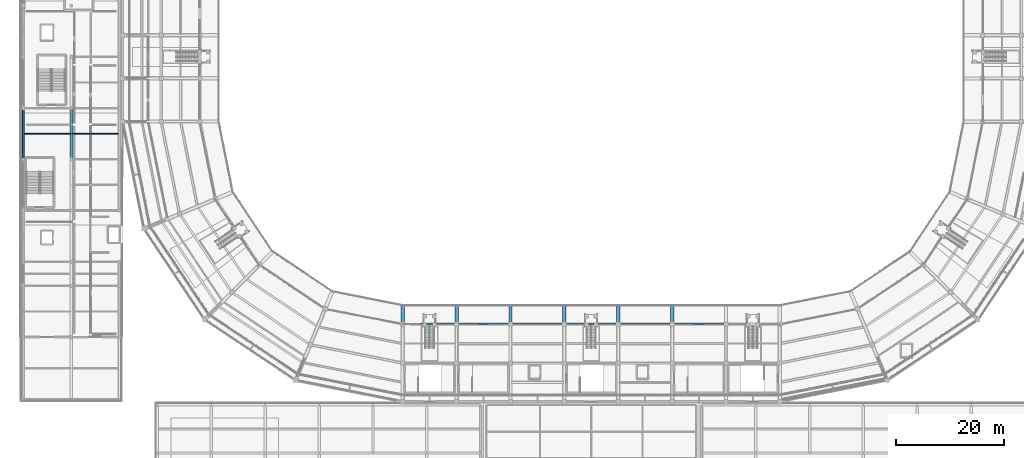
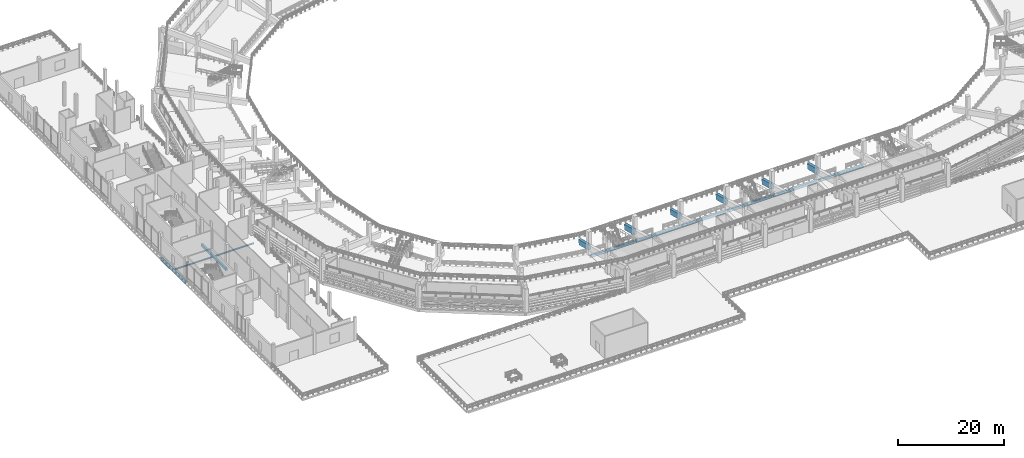
# One storey, part 17 of 96: 16 beams.
"""IFC4 building model written with IfcOpenShell, lengths in metres."""

import ifcopenshell
import ifcopenshell.guid

model = None  # the IFC model being written
_history = None  # IfcOwnerHistory: only IFC2X3 demands one
_inside = {}  # id of a spatial element -> (the spatial element, [elements in it])
_under = {}  # id of a project, library or spatial element -> (it, [spatial elements below it])
_declared = {}  # id of a project -> (the project, [libraries it declares])
_typed = {}  # id of a type object -> (the type object, [elements of that type])
_made_of = {}  # id of a material, layer set ... -> (it, [elements and type objects made of it])


def new_model(schema):
    """Start an empty IFC model of exactly this schema.

    Asked for "IFC4X3", IfcOpenShell would pick the latest addendum, in which some entities
    have other attributes; the version numbers below select the first issue.
    IFC2X3 requires an IfcOwnerHistory on every rooted entity: one is made here for all.
    """
    global model, _history
    if schema == "IFC4X3":
        model = ifcopenshell.file(schema_version=(4, 3, 0, 0))
    else:
        model = ifcopenshell.file(schema=schema)
    _inside.clear()
    _under.clear()
    _declared.clear()
    _typed.clear()
    _made_of.clear()
    _history = None
    if model.schema == "IFC2X3":
        org = make("IfcOrganization", Name="unknown")
        user = make(
            "IfcPersonAndOrganization",
            ThePerson=make("IfcPerson", FamilyName="unknown"),
            TheOrganization=org,
        )
        app = make(
            "IfcApplication",
            ApplicationDeveloper=org,
            Version="unknown",
            ApplicationFullName="unknown",
            ApplicationIdentifier="unknown",
        )
        _history = make(
            "IfcOwnerHistory",
            OwningUser=user,
            OwningApplication=app,
            ChangeAction="ADDED",
            CreationDate=0,
        )
    return model


def make(cls, **values):
    """One entity of the class cls with the attributes given. An attribute that is None is left unset."""
    return model.create_entity(
        cls, **{name: value for name, value in values.items() if value is not None}
    )


def rooted(cls, **values):
    """An entity with a GlobalId (a new one), such as an element, a storey or a relation."""
    return make(cls, GlobalId=ifcopenshell.guid.new(), OwnerHistory=_history, **values)


def si_unit(unit_type, name, prefix=None):
    """IfcSIUnit, for example si_unit("LENGTHUNIT", "METRE", prefix="MILLI")."""
    return make("IfcSIUnit", UnitType=unit_type, Prefix=prefix, Name=name)


def assignment(units):
    """IfcUnitAssignment: the units of a project."""
    return None if units is None else make("IfcUnitAssignment", Units=units)


def point(xyz):
    """IfcCartesianPoint."""
    return None if xyz is None else make("IfcCartesianPoint", Coordinates=xyz)


def direction(xyz):
    """IfcDirection."""
    return None if xyz is None else make("IfcDirection", DirectionRatios=xyz)


def frame(location, z_axis=None, x_axis=None):
    """IfcAxis2Placement3D, a coordinate frame: its origin and axes. An axis left out is left unset."""
    return make(
        "IfcAxis2Placement3D",
        Location=point(location),
        Axis=direction(z_axis),
        RefDirection=direction(x_axis),
    )


def frame_2d(location, x_axis=None):
    """IfcAxis2Placement2D, a coordinate frame in the plane: its origin and x axis."""
    return make(
        "IfcAxis2Placement2D", Location=point(location), RefDirection=direction(x_axis)
    )


def origin():
    """The frame at (0, 0, 0) with its axes left unset."""
    return frame((0.0, 0.0, 0.0))


def origin_2d():
    """The frame at (0, 0) in the plane with its x axis left unset."""
    return frame_2d((0.0, 0.0))


def place(relative_to, where):
    """IfcLocalPlacement: puts the frame where relative to a parent placement (None: the world)."""
    return make(
        "IfcLocalPlacement", PlacementRelTo=relative_to, RelativePlacement=where
    )


def context(
    kind, dimensions, precision=None, world=None, true_north=None, identifier=None
):
    """IfcGeometricRepresentationContext, for example the 3D "Model" context."""
    return make(
        "IfcGeometricRepresentationContext",
        ContextIdentifier=identifier,
        ContextType=kind,
        CoordinateSpaceDimension=dimensions,
        Precision=precision,
        WorldCoordinateSystem=world,
        TrueNorth=true_north,
    )


def subcontext(parent, identifier, kind, view, scale=None):
    """IfcGeometricRepresentationSubContext, for example "Body" below "Model"."""
    return make(
        "IfcGeometricRepresentationSubContext",
        ContextIdentifier=identifier,
        ContextType=kind,
        ParentContext=parent,
        TargetScale=scale,
        TargetView=view,
    )


def project(units=None, contexts=None):
    """IfcProject with its units and contexts."""
    return rooted(
        "IfcProject",
        Name="project",
        RepresentationContexts=contexts,
        UnitsInContext=assignment(units),
    )


def spatial(cls, under=None, at=None, **own):
    """A site, building, storey or space (cls), placed at a placement, below another one or the project."""
    s = rooted(cls, ObjectPlacement=at, **own)
    if under is not None:
        _under.setdefault(under.id(), (under, []))[1].append(s)
    return s


def profile(cls, at=None, kind="AREA", **sizes):
    """A parametric profile (cls). Its sizes go by their IFC names, for example OverallWidth=200.0."""
    return make(cls, ProfileType=kind, Position=at, **sizes)


def rectangle(**sizes):
    """IfcRectangleProfileDef."""
    return profile("IfcRectangleProfileDef", **sizes)


def i_section(**sizes):
    """IfcIShapeProfileDef."""
    return profile("IfcIShapeProfileDef", **sizes)


def extrude(swept, where, along, depth):
    """IfcExtrudedAreaSolid: the profile swept, set in the frame where, extruded along a direction by depth."""
    return make(
        "IfcExtrudedAreaSolid",
        SweptArea=swept,
        Position=where,
        ExtrudedDirection=direction(along),
        Depth=depth,
    )


def shape(context_of_items, identifier, shape_type, items):
    """IfcShapeRepresentation: the items that make up one representation, for example the "Body"."""
    return make(
        "IfcShapeRepresentation",
        ContextOfItems=context_of_items,
        RepresentationIdentifier=identifier,
        RepresentationType=shape_type,
        Items=items,
    )


def material(Name=None, Category=None):
    """IfcMaterial."""
    return make("IfcMaterial", Name=Name, Category=Category)


def material_profile(
    of_material, cross_section, Name=None, Category=None, Priority=None
):
    """IfcMaterialProfile: a cross section and its material."""
    return make(
        "IfcMaterialProfile",
        Name=Name,
        Material=of_material,
        Profile=cross_section,
        Priority=Priority,
        Category=Category,
    )


def profile_set(profiles, Name=None, composite=None):
    """IfcMaterialProfileSet."""
    return make(
        "IfcMaterialProfileSet",
        Name=Name,
        MaterialProfiles=profiles,
        CompositeProfile=composite,
    )


def made_of(thing, what):
    """Note that an element or type object is made of a material, layer set ...; save() writes the relation."""
    if what is not None:
        _made_of.setdefault(what.id(), (what, []))[1].append(thing)
    return thing


def type_object(cls, material=None, **own):
    """A type object (cls), such as IfcWallType, which elements share."""
    return made_of(rooted(cls, **own), material)


def element(
    cls,
    number,
    at=None,
    inside=None,
    cuts=None,
    type_object=None,
    material=None,
    context=None,
    identifier="Body",
    shape_type=None,
    held_by="IfcProductDefinitionShape",
    body=None,
    shapes=None,
    **own,
):
    """One element of the class cls, such as IfcWall. Its Tag is "e" and its number.

    at: its placement. inside: the storey or other place that contains it. cuts: it is an
    opening in that element (IfcRelVoidsElement). A single representation is given by context,
    identifier, shape_type and body (its items); several are given by shapes. held_by: the class
    of the entity that holds the representations. save() writes the other relations.
    """
    e = rooted(cls, Tag="e%d" % number, ObjectPlacement=at, **own)
    if body is not None:
        shapes = [shape(context, identifier, shape_type, body)]
    if shapes is not None:
        e.Representation = make(held_by, Representations=shapes)
    if inside is not None:
        _inside.setdefault(inside.id(), (inside, []))[1].append(e)
    if cuts is not None:
        rooted(
            "IfcRelVoidsElement", RelatingBuildingElement=cuts, RelatedOpeningElement=e
        )
    if type_object is not None:
        _typed.setdefault(type_object.id(), (type_object, []))[1].append(e)
    return made_of(e, material)


def aggregate(whole, parts):
    """IfcRelAggregates: a whole, such as a stair, and the parts it consists of."""
    return rooted("IfcRelAggregates", RelatingObject=whole, RelatedObjects=parts)


def save(model, path):
    """Write the relations noted so far, then the file.

    IfcRelAggregates (storeys below a building ...), IfcRelContainedInSpatialStructure (elements
    in a storey), IfcRelDefinesByType, IfcRelAssociatesMaterial and IfcRelDeclares: one each for
    every whole, place, type object, material and project.
    """
    for whole, parts in _under.values():
        aggregate(whole, parts)
    for where, things in _inside.values():
        rooted(
            "IfcRelContainedInSpatialStructure",
            RelatedElements=things,
            RelatingStructure=where,
        )
    for kind, things in _typed.values():
        rooted("IfcRelDefinesByType", RelatedObjects=things, RelatingType=kind)
    for what, things in _made_of.values():
        rooted("IfcRelAssociatesMaterial", RelatedObjects=things, RelatingMaterial=what)
    for by, libraries in _declared.values():
        rooted("IfcRelDeclares", RelatingContext=by, RelatedDefinitions=libraries)
    model.write(path)


model = new_model("IFC4")

# Units and contexts
model_context = context("Model", 3, precision=1e-05, world=origin(), true_north=direction((0.0, 1.0)))
body_context = subcontext(model_context, "Body", "Model", "MODEL_VIEW")
ifc_project = project(units=[si_unit("LENGTHUNIT", "METRE"), si_unit("AREAUNIT", "SQUARE_METRE"), si_unit("VOLUMEUNIT", "CUBIC_METRE"), si_unit("PLANEANGLEUNIT", "RADIAN"), si_unit("MASSUNIT", "GRAM", prefix="KILO")], contexts=[model_context])

# Site, building, storey
site_placement = place(None, origin())
site = spatial("IfcSite", under=ifc_project, at=site_placement, CompositionType="ELEMENT")
building_placement = place(site_placement, origin())
building = spatial("IfcBuilding", under=site, at=building_placement, Name="Candeia Ridge Stadium", CompositionType="ELEMENT")
storey_placement = place(building_placement, frame((0.0, 0.0, 21.60009765625)))
storey = spatial("IfcBuildingStorey", under=building, at=storey_placement, Name="L04", CompositionType="ELEMENT", Elevation=21.60009765625)

# Beams
ifc_material_1 = material(Name="Concrete C40/50", Category="concrete")
ifc_material_profile_1 = material_profile(ifc_material_1, rectangle(XDim=0.3798828125, YDim=0.6201171875, at=origin_2d()), Name="RC380x620", Category="concrete")
ifc_profile_set_1 = profile_set([ifc_material_profile_1], Name="Concrete C40/50")
beam_type_1 = type_object("IfcBeamType", Name="Frame Girder RC380x620", PredefinedType="BEAM", material=ifc_profile_set_1)
for number, where, z_axis, x_axis, name in (
    (1, (71.159912109375, 33.39990234375, -0.570068359375), (1.0, 0.0, 0.0), (0.0, 1.0, 0.0), "Bowl inner ring girder BM-L04-0878"),
    (2, (81.159912109375, 33.39990234375, -0.570068359375), (1.0, 0.0, 0.0), (0.0, 1.0, 0.0), "Bowl inner ring girder BM-L04-0882"),
    (3, (91.159912109375, 33.39990234375, -0.570068359375), (1.0, 0.0, 0.0), (0.0, 1.0, 0.0), "Bowl inner ring girder BM-L04-0886"),
    (4, (101.159912109375, 33.39990234375, -0.570068359375), (1.0, 0.0, 0.0), (0.0, 1.0, 0.0), "Bowl inner ring girder BM-L04-0891"),
    (5, (111.159912109375, 33.39990234375, -0.570068359375), (1.0, 0.0, 0.0), (0.0, 1.0, 0.0), "Bowl inner ring girder BM-L04-0895"),
    (6, (121.159912109375, 33.39990234375, -0.570068359375), (1.0, 0.0, 0.0), (0.0, 1.0, 0.0), "Bowl inner ring girder BM-L04-0900"),
):
    element("IfcBeam", number, at=place(storey_placement, frame(where, z_axis=z_axis, x_axis=x_axis)), inside=storey, type_object=beam_type_1, Name=name, PredefinedType="BEAM", context=body_context, shape_type="SweptSolid", body=[
        extrude(rectangle(XDim=0.3798828125, YDim=0.6201171875, at=origin_2d()), origin(), (0.0, 0.0, 1.0), 9.68017578125),
    ])
ifc_material_2 = material(Name="Steel ASTM A572 Grade 50", Category="steel")
ifc_material_profile_2 = material_profile(ifc_material_2, i_section(OverallWidth=0.1669921875, OverallDepth=0.31689453125, WebThickness=0.007568359375, FlangeThickness=0.01318359375, FilletRadius=0.011962890625, at=origin_2d()), Name="W310x52", Category="steel")
ifc_profile_set_2 = profile_set([ifc_material_profile_2], Name="Steel ASTM A572 Grade 50")
beam_type_2 = type_object("IfcBeamType", Name="Pavilion Secondary Joist W310x52", PredefinedType="JOIST", material=ifc_profile_set_2)
for number, where, z_axis, x_axis, name in (
    (7, (0.7744140625, 68.75, -0.418701171875), (1.0, 0.0, 0.0), (0.0, 1.0, 0.0), "Wing secondary joist BM-L04-1319"),
    (8, (9.699462890625, 68.75, -0.418701171875), (1.0, 0.0, 0.0), (0.0, 1.0, 0.0), "Wing secondary joist BM-L04-1339"),
):
    element("IfcBeam", number, at=place(storey_placement, frame(where, z_axis=z_axis, x_axis=x_axis)), inside=storey, type_object=beam_type_2, Name=name, PredefinedType="JOIST", context=body_context, shape_type="SweptSolid", body=[
        extrude(i_section(OverallWidth=0.1669921875, OverallDepth=0.31689453125, WebThickness=0.007568359375, FlangeThickness=0.01318359375, FilletRadius=0.011962890625, at=origin_2d()), origin(), (0.0, 0.0, 1.0), 8.526123046875),
    ])
ifc_material_profile_3 = material_profile(ifc_material_1, rectangle(XDim=0.35009765625, YDim=0.64990234375, at=origin_2d()), Name="RC350x650", Category="concrete")
ifc_profile_set_3 = profile_set([ifc_material_profile_3], Name="Concrete C40/50")
beam_type_3 = type_object("IfcBeamType", Name="Spandrel Beam RC350x650", PredefinedType="SPANDREL", material=ifc_profile_set_3)
beam_1_placement = place(storey_placement, frame((0.60009765625, 64.159912109375, -0.585205078125), z_axis=(0.0, 1.0, 0.0), x_axis=(-1.0, 0.0, 0.0)))
element("IfcBeam", 9, at=beam_1_placement, inside=storey, type_object=beam_type_3, Name="Structural girder BM-L04-1278", PredefinedType="SPANDREL", context=body_context, shape_type="SweptSolid", body=[
    extrude(rectangle(XDim=0.35009765625, YDim=0.64990234375, at=origin_2d()), origin(), (0.0, 0.0, 1.0), 9.18017578125),
])
ifc_material_3 = material(Name="Concrete C45/55", Category="concrete")
ifc_material_profile_4 = material_profile(ifc_material_3, rectangle(XDim=0.6201171875, YDim=1.179931640625, at=origin_2d()), Name="RC620x1180", Category="concrete")
ifc_profile_set_4 = profile_set([ifc_material_profile_4], Name="Concrete C45/55")
beam_type_4 = type_object("IfcBeamType", Name="Stand Raker Beam RC620x1180", PredefinedType="USERDEFINED", material=ifc_profile_set_4)
for number, where, z_axis, x_axis, name in (
    (10, (71.0, 36.800048828125, 0.78759765625), (0.0, -0.968076277783, 0.250655780691), (1.0, 0.0, 0.0), "Stand T3 cantilever raker beam 19"),
    (11, (91.0, 36.800048828125, 0.78759765625), (0.0, -0.968076277783, 0.250655780691), (1.0, 0.0, 0.0), "Stand T3 cantilever raker beam 21"),
    (12, (111.0, 36.800048828125, 0.78759765625), (0.0, -0.968076277783, 0.250655780691), (1.0, 0.0, 0.0), "Stand T3 cantilever raker beam 23"),
):
    element("IfcBeam", number, at=place(storey_placement, frame(where, z_axis=z_axis, x_axis=x_axis)), inside=storey, type_object=beam_type_4, Name=name, ObjectType="RAKER", PredefinedType="USERDEFINED", context=body_context, shape_type="SweptSolid", body=[
        extrude(rectangle(XDim=0.6201171875, YDim=1.179931640625, at=origin_2d()), origin(), (0.0, 0.0, 1.0), 3.51220703125),
    ])
ifc_material_profile_5 = material_profile(ifc_material_3, rectangle(XDim=0.64990234375, YDim=1.25, at=origin_2d()), Name="RC650x1250", Category="concrete")
ifc_profile_set_5 = profile_set([ifc_material_profile_5], Name="Concrete C45/55")
beam_type_5 = type_object("IfcBeamType", Name="Stand Raker Beam RC650x1250", PredefinedType="USERDEFINED", material=ifc_profile_set_5)
for number, where, z_axis, x_axis, name in (
    (13, (81.0, 36.800048828125, 0.78759765625), (0.0, -0.968076277783, 0.250655780691), (1.0, 0.0, 0.0), "Stand T3 cantilever raker beam 20"),
    (14, (101.0, 36.800048828125, 0.78759765625), (0.0, -0.968076277783, 0.250655780691), (1.0, 0.0, 0.0), "Stand T3 cantilever raker beam 22"),
    (15, (121.0, 36.800048828125, 0.78759765625), (0.0, -0.968076277783, 0.250655780691), (1.0, 0.0, 0.0), "Stand T3 cantilever raker beam 24"),
):
    element("IfcBeam", number, at=place(storey_placement, frame(where, z_axis=z_axis, x_axis=x_axis)), inside=storey, type_object=beam_type_5, Name=name, ObjectType="RAKER", PredefinedType="USERDEFINED", context=body_context, shape_type="SweptSolid", body=[
        extrude(rectangle(XDim=0.64990234375, YDim=1.25, at=origin_2d()), origin(), (0.0, 0.0, 1.0), 3.51220703125),
    ])
ifc_material_profile_6 = material_profile(ifc_material_1, rectangle(XDim=0.39990234375, YDim=0.64990234375, at=origin_2d()), Name="RC400x650", Category="concrete")
ifc_profile_set_6 = profile_set([ifc_material_profile_6], Name="Concrete C40/50")
beam_type_6 = type_object("IfcBeamType", Name="Wing Primary Girder RC400x650", PredefinedType="BEAM", material=ifc_profile_set_6)
beam_2_placement = place(storey_placement, frame((9.5, 64.050048828125, -0.585205078125), z_axis=(0.0, 1.0, 0.0), x_axis=(-1.0, 0.0, 0.0)))
element("IfcBeam", 16, at=beam_2_placement, inside=storey, type_object=beam_type_6, Name="Structural girder BM-L04-1292", PredefinedType="BEAM", context=body_context, shape_type="SweptSolid", body=[
    extrude(rectangle(XDim=0.39990234375, YDim=0.64990234375, at=origin_2d()), origin(), (0.0, 0.0, 1.0), 9.39990234375),
])

save(model, "model.ifc")
